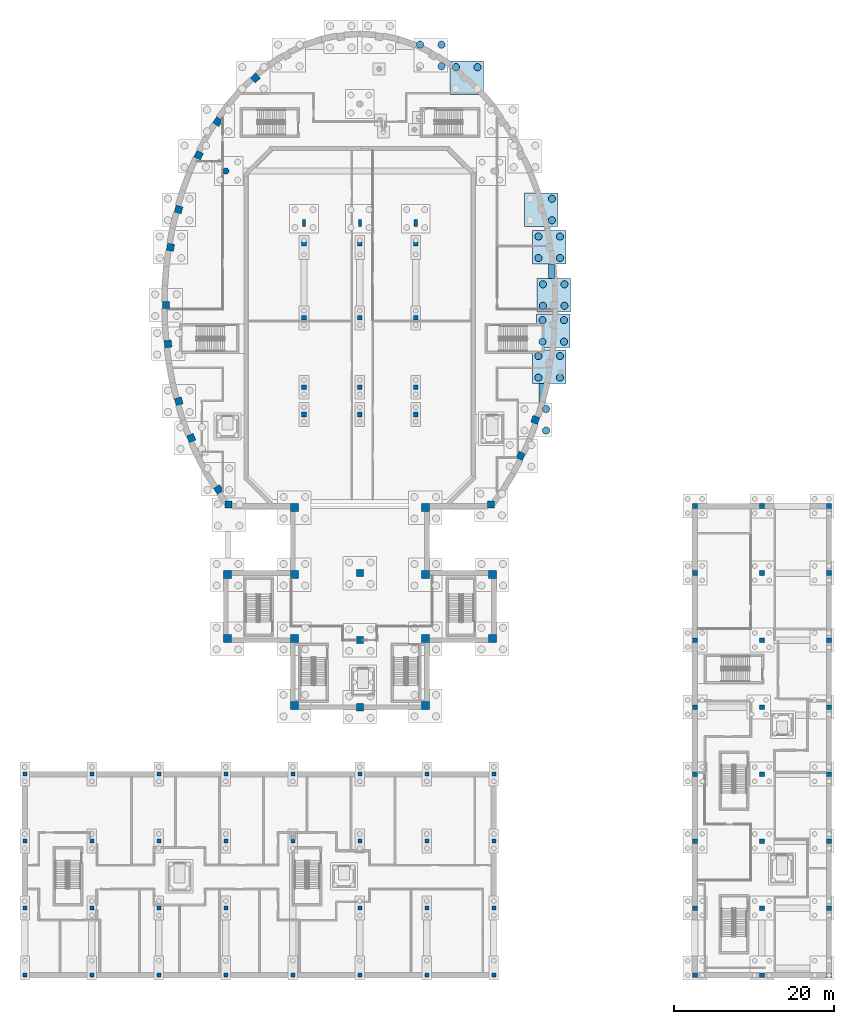
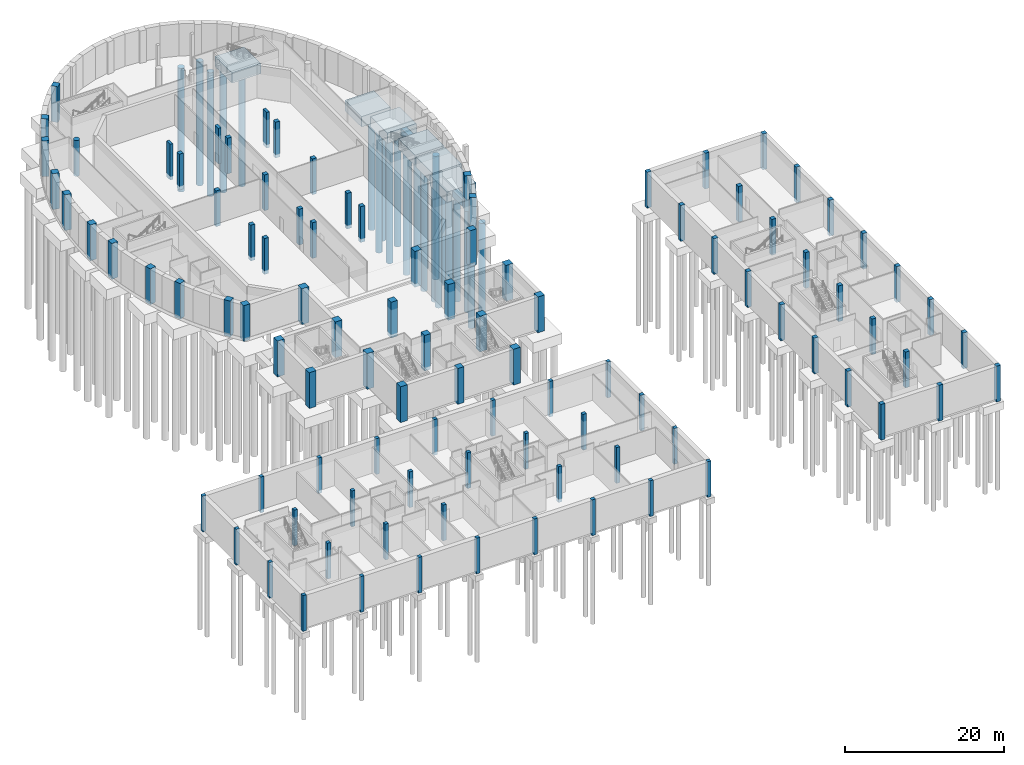
# One storey, part 6 of 33: 100 columns, 25 piles, 8 footings.
"""IFC4 building model written with IfcOpenShell, lengths in metres."""

from ifc_helpers import new_model, si_unit, direction, frame, origin, origin_2d, place, context, subcontext, project, spatial, polyline, rectangle, circle, outline, extrude, material, material_profile, profile_set, type_object, element, save


model = new_model("IFC4")

# Units and contexts
model_context = context("Model", 3, precision=1e-05, world=origin(), true_north=direction((0.0, 1.0)))
body_context = subcontext(model_context, "Body", "Model", "MODEL_VIEW")
ifc_project = project(units=[si_unit("LENGTHUNIT", "METRE"), si_unit("AREAUNIT", "SQUARE_METRE"), si_unit("VOLUMEUNIT", "CUBIC_METRE"), si_unit("PLANEANGLEUNIT", "RADIAN"), si_unit("MASSUNIT", "GRAM", prefix="KILO")], contexts=[model_context])

# Site, building, storey
site_placement = place(None, origin())
site = spatial("IfcSite", under=ifc_project, at=site_placement, CompositionType="ELEMENT")
building_placement = place(site_placement, origin())
building = spatial("IfcBuilding", under=site, at=building_placement, Name="Larchfold Concert Hall", CompositionType="ELEMENT")
storey_placement = place(building_placement, frame((0.0, 0.0, -5.0)))
storey = spatial("IfcBuildingStorey", under=building, at=storey_placement, Name="B1", CompositionType="ELEMENT", Elevation=-5.0)

# Piles
ifc_material_1 = material(Name="Concrete C30/37", Category="concrete")
ifc_material_profile_1 = material_profile(ifc_material_1, circle(Radius=0.449951171875, at=origin_2d()))
ifc_profile_set_1 = profile_set([ifc_material_profile_1], Name="Concrete C30/37")
pile_type = type_object("IfcPileType", Name="Bored pile D900", PredefinedType="BORED", material=ifc_profile_set_1)
for number, where, z_axis, x_axis, name in (
    (1, (50.1416015625, 117.23876953125, -2.0), (0.0, 0.0, -1.0), (1.0, 0.0, 0.0), "Pile P0208"),
    (2, (52.841552734375, 114.538818359375, -2.0), (0.0, 0.0, -1.0), (1.0, 0.0, 0.0), "Pile P0209"),
    (3, (52.841552734375, 117.23876953125, -2.0), (0.0, 0.0, -1.0), (1.0, 0.0, 0.0), "Pile P0210"),
    (4, (54.6416015625, 114.419677734375, -2.0), (0.0, 0.0, -1.0), (1.0, 0.0, 0.0), "Pile P0212"),
    (5, (57.341552734375, 114.419677734375, -2.0), (0.0, 0.0, -1.0), (1.0, 0.0, 0.0), "Pile P0214"),
):
    element("IfcPile", number, at=place(storey_placement, frame(where, z_axis=z_axis, x_axis=x_axis)), inside=storey, type_object=pile_type, Name=name, PredefinedType="BORED", context=body_context, shape_type="SweptSolid", body=[
        extrude(circle(Radius=0.449951171875, at=origin_2d()), origin(), (0.0, 0.0, 1.0), 19.0),
    ])
for number, where, z_axis, x_axis, name in (
    (6, (65.939208984375, 68.8681640625, -2.0), (0.0, 0.0, -1.0), (1.0, 0.0, 0.0), "Pile P0253"),
    (7, (65.939208984375, 71.568115234375, -2.0), (0.0, 0.0, -1.0), (1.0, 0.0, 0.0), "Pile P0254"),
):
    element("IfcPile", number, at=place(storey_placement, frame(where, z_axis=z_axis, x_axis=x_axis)), inside=storey, type_object=pile_type, Name=name, PredefinedType="BORED", context=body_context, shape_type="SweptSolid", body=[
        extrude(circle(Radius=0.449951171875, at=origin_2d()), origin(), (0.0, 0.0, 1.0), 17.81005859375),
    ])
for number, where, z_axis, x_axis, name in (
    (8, (66.671875, 95.228759765625, -2.0), (0.0, 0.0, -1.0), (1.0, 0.0, 0.0), "Pile P0257"),
    (9, (66.671875, 97.9287109375, -2.0), (0.0, 0.0, -1.0), (1.0, 0.0, 0.0), "Pile P0258"),
):
    element("IfcPile", number, at=place(storey_placement, frame(where, z_axis=z_axis, x_axis=x_axis)), inside=storey, type_object=pile_type, Name=name, PredefinedType="BORED", context=body_context, shape_type="SweptSolid", body=[
        extrude(circle(Radius=0.449951171875, at=origin_2d()), origin(), (0.0, 0.0, 1.0), 19.0),
    ])
for number, where, z_axis, x_axis, name in (
    (10, (64.978271484375, 75.508544921875, -2.0), (0.0, 0.0, -1.0), (1.0, 0.0, 0.0), "Pile P0259"),
    (11, (64.978271484375, 78.208740234375, -2.0), (0.0, 0.0, -1.0), (1.0, 0.0, 0.0), "Pile P0260"),
    (12, (67.678466796875, 75.508544921875, -2.0), (0.0, 0.0, -1.0), (1.0, 0.0, 0.0), "Pile P0261"),
    (13, (67.678466796875, 78.208740234375, -2.0), (0.0, 0.0, -1.0), (1.0, 0.0, 0.0), "Pile P0262"),
):
    element("IfcPile", number, at=place(storey_placement, frame(where, z_axis=z_axis, x_axis=x_axis)), inside=storey, type_object=pile_type, Name=name, PredefinedType="BORED", context=body_context, shape_type="SweptSolid", body=[
        extrude(circle(Radius=0.449951171875, at=origin_2d()), origin(), (0.0, 0.0, 1.0), 18.359375),
    ])
for number, where, z_axis, x_axis, name in (
    (14, (64.9853515625, 90.491943359375, -2.0), (0.0, 0.0, -1.0), (1.0, 0.0, 0.0), "Pile P0263"),
    (15, (64.9853515625, 93.19189453125, -2.0), (0.0, 0.0, -1.0), (1.0, 0.0, 0.0), "Pile P0264"),
    (16, (67.685302734375, 90.491943359375, -2.0), (0.0, 0.0, -1.0), (1.0, 0.0, 0.0), "Pile P0265"),
    (17, (67.685302734375, 93.19189453125, -2.0), (0.0, 0.0, -1.0), (1.0, 0.0, 0.0), "Pile P0266"),
):
    element("IfcPile", number, at=place(storey_placement, frame(where, z_axis=z_axis, x_axis=x_axis)), inside=storey, type_object=pile_type, Name=name, PredefinedType="BORED", context=body_context, shape_type="SweptSolid", body=[
        extrude(circle(Radius=0.449951171875, at=origin_2d()), origin(), (0.0, 0.0, 1.0), 19.0),
    ])
for number, where, z_axis, x_axis, name in (
    (18, (65.48681640625, 80.008544921875, -2.0), (0.0, 0.0, -1.0), (1.0, 0.0, 0.0), "Pile P0267"),
    (19, (65.48681640625, 82.708740234375, -2.0), (0.0, 0.0, -1.0), (1.0, 0.0, 0.0), "Pile P0268"),
    (20, (68.18701171875, 80.008544921875, -2.0), (0.0, 0.0, -1.0), (1.0, 0.0, 0.0), "Pile P0269"),
    (21, (68.18701171875, 82.708740234375, -2.0), (0.0, 0.0, -1.0), (1.0, 0.0, 0.0), "Pile P0270"),
):
    element("IfcPile", number, at=place(storey_placement, frame(where, z_axis=z_axis, x_axis=x_axis)), inside=storey, type_object=pile_type, Name=name, PredefinedType="BORED", context=body_context, shape_type="SweptSolid", body=[
        extrude(circle(Radius=0.449951171875, at=origin_2d()), origin(), (0.0, 0.0, 1.0), 18.731689453125),
    ])
for number, where, z_axis, x_axis, name in (
    (22, (65.550048828125, 84.508544921875, -2.0), (0.0, 0.0, -1.0), (1.0, 0.0, 0.0), "Pile P0271"),
    (23, (65.550048828125, 87.208740234375, -2.0), (0.0, 0.0, -1.0), (1.0, 0.0, 0.0), "Pile P0272"),
    (24, (68.25, 84.508544921875, -2.0), (0.0, 0.0, -1.0), (1.0, 0.0, 0.0), "Pile P0273"),
    (25, (68.25, 87.208740234375, -2.0), (0.0, 0.0, -1.0), (1.0, 0.0, 0.0), "Pile P0274"),
):
    element("IfcPile", number, at=place(storey_placement, frame(where, z_axis=z_axis, x_axis=x_axis)), inside=storey, type_object=pile_type, Name=name, PredefinedType="BORED", context=body_context, shape_type="SweptSolid", body=[
        extrude(circle(Radius=0.449951171875, at=origin_2d()), origin(), (0.0, 0.0, 1.0), 19.0),
    ])

# Footings
ifc_material_2 = material(Name="Concrete C30/37", Category="concrete")
footing_type_1 = type_object("IfcFootingType", Name="Pile cap 4200x4200x1600", PredefinedType="PILE_CAP", material=ifc_material_2)
footing_1_placement = place(storey_placement, frame((0.0, 0.0, -2.10009765625)))
element("IfcFooting", 26, at=footing_1_placement, inside=storey, type_object=footing_type_1, Name="Pile cap PC0073", PredefinedType="PILE_CAP", context=body_context, shape_type="SweptSolid", body=[
    extrude(outline(polyline([(58.091552734375, 110.969482421875), (58.091552734375, 115.169677734375), (53.8916015625, 115.169677734375), (53.8916015625, 110.969482421875), (58.091552734375, 110.969482421875)])), origin(), (0.0, 0.0, 1.0), 1.60009765625),
])
footing_2_placement = place(storey_placement, frame((0.0, 0.0, -2.10009765625)))
element("IfcFooting", 27, at=footing_2_placement, inside=storey, type_object=footing_type_1, Name="Pile cap PC0086", PredefinedType="PILE_CAP", context=body_context, shape_type="SweptSolid", body=[
    extrude(outline(polyline([(67.421875, 94.478759765625), (67.421875, 98.6787109375), (63.221923828125, 98.6787109375), (63.221923828125, 94.478759765625), (67.421875, 94.478759765625)])), origin(), (0.0, 0.0, 1.0), 1.60009765625),
])
footing_3_placement = place(storey_placement, frame((0.0, 0.0, -2.10009765625)))
element("IfcFooting", 28, at=footing_3_placement, inside=storey, type_object=footing_type_1, Name="Pile cap PC0087", PredefinedType="PILE_CAP", context=body_context, shape_type="SweptSolid", body=[
    extrude(outline(polyline([(68.428466796875, 74.758544921875), (68.428466796875, 78.958740234375), (64.228271484375, 78.958740234375), (64.228271484375, 74.758544921875), (68.428466796875, 74.758544921875)])), origin(), (0.0, 0.0, 1.0), 1.60009765625),
])
footing_4_placement = place(storey_placement, frame((0.0, 0.0, -2.10009765625)))
element("IfcFooting", 29, at=footing_4_placement, inside=storey, type_object=footing_type_1, Name="Pile cap PC0088", PredefinedType="PILE_CAP", context=body_context, shape_type="SweptSolid", body=[
    extrude(outline(polyline([(68.435302734375, 89.741943359375), (68.435302734375, 93.94189453125), (64.2353515625, 93.94189453125), (64.2353515625, 89.741943359375), (68.435302734375, 89.741943359375)])), origin(), (0.0, 0.0, 1.0), 1.60009765625),
])
footing_5_placement = place(storey_placement, frame((0.0, 0.0, -2.10009765625)))
element("IfcFooting", 30, at=footing_5_placement, inside=storey, type_object=footing_type_1, Name="Pile cap PC0089", PredefinedType="PILE_CAP", context=body_context, shape_type="SweptSolid", body=[
    extrude(outline(polyline([(68.93701171875, 79.258544921875), (68.93701171875, 83.458740234375), (64.73681640625, 83.458740234375), (64.73681640625, 79.258544921875), (68.93701171875, 79.258544921875)])), origin(), (0.0, 0.0, 1.0), 1.60009765625),
])
footing_6_placement = place(storey_placement, frame((0.0, 0.0, -2.10009765625)))
element("IfcFooting", 31, at=footing_6_placement, inside=storey, type_object=footing_type_1, Name="Pile cap PC0090", PredefinedType="PILE_CAP", context=body_context, shape_type="SweptSolid", body=[
    extrude(outline(polyline([(69.0, 83.758544921875), (69.0, 87.958740234375), (64.800048828125, 87.958740234375), (64.800048828125, 83.758544921875), (69.0, 83.758544921875)])), origin(), (0.0, 0.0, 1.0), 1.60009765625),
])
ifc_material_3 = material(Name="Concrete C30/37", Category="concrete")
footing_type_2 = type_object("IfcFootingType", Name="Strip footing 800x1000", PredefinedType="STRIP_FOOTING", material=ifc_material_3)
footing_7_placement = place(storey_placement, frame((0.0, 0.0, -1.5)))
element("IfcFooting", 32, at=footing_7_placement, inside=storey, type_object=footing_type_2, Name="Ground beam GB0016", PredefinedType="STRIP_FOOTING", context=body_context, shape_type="SweptSolid", body=[
    extrude(outline(polyline([(65.058837890625, 72.318115234375), (65.858642578125, 72.318115234375), (65.858642578125, 74.758544921875), (65.058837890625, 74.758544921875), (65.058837890625, 72.318115234375)])), origin(), (0.0, 0.0, 1.0), 1.0),
])
footing_8_placement = place(storey_placement, frame((0.0, 0.0, -1.5)))
element("IfcFooting", 33, at=footing_8_placement, inside=storey, type_object=footing_type_2, Name="Ground beam GB0017", PredefinedType="STRIP_FOOTING", context=body_context, shape_type="SweptSolid", body=[
    extrude(outline(polyline([(66.2177734375, 87.958740234375), (67.017822265625, 87.958740234375), (67.017822265625, 89.741943359375), (66.2177734375, 89.741943359375), (66.2177734375, 87.958740234375)])), origin(), (0.0, 0.0, 1.0), 1.0),
])

# Columns
ifc_material_4 = material(Name="Concrete C35/45", Category="concrete")
ifc_material_profile_2 = material_profile(ifc_material_4, rectangle(XDim=1.0, YDim=1.0, at=origin_2d()))
ifc_profile_set_2 = profile_set([ifc_material_profile_2], Name="Concrete C35/45")
column_type_1 = type_object("IfcColumnType", Name="Column RC 1000x1000", PredefinedType="COLUMN", material=ifc_profile_set_2)
for number, where, z_axis, x_axis, name in (
    (34, (26.0, 42.800048828125, -0.5), (0.0, 0.0, 1.0), (1.0, 0.0, 0.0), "Column C0056"),
    (35, (26.0, 50.800048828125, -0.5), (0.0, 0.0, 1.0), (1.0, 0.0, 0.0), "Column C0057"),
    (36, (34.39990234375, 34.39990234375, -0.5), (0.0, 0.0, 1.0), (1.0, 0.0, 0.0), "Column C0058"),
    (37, (34.39990234375, 42.800048828125, -0.5), (0.0, 0.0, 1.0), (1.0, 0.0, 0.0), "Column C0059"),
    (38, (34.39990234375, 50.800048828125, -0.5), (0.0, 0.0, 1.0), (1.0, 0.0, 0.0), "Column C0060"),
    (39, (34.39990234375, 59.199951171875, -0.5), (0.0, 0.0, 1.0), (1.0, 0.0, 0.0), "Column C0061"),
    (40, (50.800048828125, 34.39990234375, -0.5), (0.0, 0.0, 1.0), (1.0, 0.0, 0.0), "Column C0065"),
    (41, (50.800048828125, 42.800048828125, -0.5), (0.0, 0.0, 1.0), (1.0, 0.0, 0.0), "Column C0066"),
    (42, (50.800048828125, 50.800048828125, -0.5), (0.0, 0.0, 1.0), (1.0, 0.0, 0.0), "Column C0067"),
    (43, (50.800048828125, 59.199951171875, -0.5), (0.0, 0.0, 1.0), (1.0, 0.0, 0.0), "Column C0068"),
    (44, (59.199951171875, 42.800048828125, -0.5), (0.0, 0.0, 1.0), (1.0, 0.0, 0.0), "Column C0069"),
    (45, (59.199951171875, 50.800048828125, -0.5), (0.0, 0.0, 1.0), (1.0, 0.0, 0.0), "Column C0070"),
):
    element("IfcColumn", number, at=place(storey_placement, frame(where, z_axis=z_axis, x_axis=x_axis)), inside=storey, type_object=column_type_1, Name=name, PredefinedType="COLUMN", context=body_context, shape_type="SweptSolid", body=[
        extrude(rectangle(XDim=1.0, YDim=1.0, at=origin_2d()), origin(), (0.0, 0.0, 1.0), 5.5),
    ])
ifc_material_5 = material(Name="Concrete C35/45", Category="concrete")
ifc_material_profile_3 = material_profile(ifc_material_5, rectangle(XDim=0.39990234375, YDim=0.89990234375, at=origin_2d()))
ifc_profile_set_3 = profile_set([ifc_material_profile_3], Name="Concrete C35/45")
column_type_2 = type_object("IfcColumnType", Name="Column RC 400x900", PredefinedType="COLUMN", material=ifc_profile_set_3)
for number, where, z_axis, x_axis, name in (
    (46, (35.60009765625, 94.89990234375, -0.5), (0.0, 0.0, 1.0), (1.0, 0.0, 0.0), "Column C0083"),
    (47, (42.60009765625, 94.89990234375, -0.5), (0.0, 0.0, 1.0), (1.0, 0.0, 0.0), "Column C0084"),
    (48, (49.60009765625, 94.89990234375, -0.5), (0.0, 0.0, 1.0), (1.0, 0.0, 0.0), "Column C0085"),
):
    element("IfcColumn", number, at=place(storey_placement, frame(where, z_axis=z_axis, x_axis=x_axis)), inside=storey, type_object=column_type_2, Name=name, PredefinedType="COLUMN", context=body_context, shape_type="SweptSolid", body=[
        extrude(rectangle(XDim=0.39990234375, YDim=0.89990234375, at=origin_2d()), origin(), (0.0, 0.0, 1.0), 5.5),
    ])
ifc_material_6 = material(Name="Concrete C35/45", Category="concrete")
ifc_material_profile_4 = material_profile(ifc_material_6, rectangle(XDim=0.5, YDim=0.5, at=origin_2d()))
ifc_profile_set_4 = profile_set([ifc_material_profile_4], Name="Concrete C35/45")
column_type_3 = type_object("IfcColumnType", Name="Column RC 500x500", PredefinedType="COLUMN", material=ifc_profile_set_4)
for number, where, z_axis, x_axis, name in (
    (49, (0.60009765625, 0.60009765625, -0.5), (0.0, 0.0, 1.0), (1.0, 0.0, 0.0), "Column C0001"),
    (50, (0.60009765625, 9.0, -0.5), (0.0, 0.0, 1.0), (1.0, 0.0, 0.0), "Column C0002"),
    (51, (0.60009765625, 17.39990234375, -0.5), (0.0, 0.0, 1.0), (1.0, 0.0, 0.0), "Column C0003"),
    (52, (0.60009765625, 25.800048828125, -0.5), (0.0, 0.0, 1.0), (1.0, 0.0, 0.0), "Column C0004"),
    (53, (9.0, 0.60009765625, -0.5), (0.0, 0.0, 1.0), (1.0, 0.0, 0.0), "Column C0005"),
    (54, (9.0, 9.0, -0.5), (0.0, 0.0, 1.0), (1.0, 0.0, 0.0), "Column C0006"),
    (55, (9.0, 17.39990234375, -0.5), (0.0, 0.0, 1.0), (1.0, 0.0, 0.0), "Column C0007"),
    (56, (9.0, 25.800048828125, -0.5), (0.0, 0.0, 1.0), (1.0, 0.0, 0.0), "Column C0008"),
    (57, (17.39990234375, 0.60009765625, -0.5), (0.0, 0.0, 1.0), (1.0, 0.0, 0.0), "Column C0009"),
    (58, (17.39990234375, 9.0, -0.5), (0.0, 0.0, 1.0), (1.0, 0.0, 0.0), "Column C0010"),
    (59, (17.39990234375, 17.39990234375, -0.5), (0.0, 0.0, 1.0), (1.0, 0.0, 0.0), "Column C0011"),
    (60, (17.39990234375, 25.800048828125, -0.5), (0.0, 0.0, 1.0), (1.0, 0.0, 0.0), "Column C0012"),
    (61, (25.800048828125, 0.60009765625, -0.5), (0.0, 0.0, 1.0), (1.0, 0.0, 0.0), "Column C0013"),
    (62, (25.800048828125, 9.0, -0.5), (0.0, 0.0, 1.0), (1.0, 0.0, 0.0), "Column C0014"),
    (63, (25.800048828125, 17.39990234375, -0.5), (0.0, 0.0, 1.0), (1.0, 0.0, 0.0), "Column C0015"),
    (64, (25.800048828125, 25.800048828125, -0.5), (0.0, 0.0, 1.0), (1.0, 0.0, 0.0), "Column C0016"),
    (65, (34.199951171875, 0.60009765625, -0.5), (0.0, 0.0, 1.0), (1.0, 0.0, 0.0), "Column C0017"),
    (66, (34.199951171875, 17.39990234375, -0.5), (0.0, 0.0, 1.0), (1.0, 0.0, 0.0), "Column C0018"),
    (67, (34.199951171875, 25.800048828125, -0.5), (0.0, 0.0, 1.0), (1.0, 0.0, 0.0), "Column C0019"),
    (68, (42.60009765625, 0.60009765625, -0.5), (0.0, 0.0, 1.0), (1.0, 0.0, 0.0), "Column C0020"),
    (69, (42.60009765625, 9.0, -0.5), (0.0, 0.0, 1.0), (1.0, 0.0, 0.0), "Column C0021"),
    (70, (42.60009765625, 17.39990234375, -0.5), (0.0, 0.0, 1.0), (1.0, 0.0, 0.0), "Column C0022"),
    (71, (42.60009765625, 25.800048828125, -0.5), (0.0, 0.0, 1.0), (1.0, 0.0, 0.0), "Column C0023"),
    (72, (51.0, 0.60009765625, -0.5), (0.0, 0.0, 1.0), (1.0, 0.0, 0.0), "Column C0024"),
    (73, (51.0, 9.0, -0.5), (0.0, 0.0, 1.0), (1.0, 0.0, 0.0), "Column C0025"),
    (74, (51.0, 17.39990234375, -0.5), (0.0, 0.0, 1.0), (1.0, 0.0, 0.0), "Column C0026"),
    (75, (51.0, 25.800048828125, -0.5), (0.0, 0.0, 1.0), (1.0, 0.0, 0.0), "Column C0027"),
    (76, (59.39990234375, 0.60009765625, -0.5), (0.0, 0.0, 1.0), (1.0, 0.0, 0.0), "Column C0028"),
    (77, (59.39990234375, 9.0, -0.5), (0.0, 0.0, 1.0), (1.0, 0.0, 0.0), "Column C0029"),
    (78, (59.39990234375, 17.39990234375, -0.5), (0.0, 0.0, 1.0), (1.0, 0.0, 0.0), "Column C0030"),
    (79, (59.39990234375, 25.800048828125, -0.5), (0.0, 0.0, 1.0), (1.0, 0.0, 0.0), "Column C0031"),
):
    element("IfcColumn", number, at=place(storey_placement, frame(where, z_axis=z_axis, x_axis=x_axis)), inside=storey, type_object=column_type_3, Name=name, PredefinedType="COLUMN", context=body_context, shape_type="SweptSolid", body=[
        extrude(rectangle(XDim=0.5, YDim=0.5, at=origin_2d()), origin(), (0.0, 0.0, 1.0), 5.5),
    ])
ifc_material_7 = material(Name="Concrete C35/45", Category="concrete")
ifc_material_profile_5 = material_profile(ifc_material_7, rectangle(XDim=0.60009765625, YDim=0.60009765625, at=origin_2d()))
ifc_profile_set_5 = profile_set([ifc_material_profile_5], Name="Concrete C35/45")
column_type_4 = type_object("IfcColumnType", Name="Column RC 600x600", PredefinedType="COLUMN", material=ifc_profile_set_5)
for number, where, z_axis, x_axis, name in (
    (80, (84.60009765625, 0.60009765625, -0.5), (0.0, 0.0, 1.0), (1.0, 0.0, 0.0), "Column C0032"),
    (81, (84.60009765625, 9.0, -0.5), (0.0, 0.0, 1.0), (1.0, 0.0, 0.0), "Column C0033"),
    (82, (84.60009765625, 17.39990234375, -0.5), (0.0, 0.0, 1.0), (1.0, 0.0, 0.0), "Column C0034"),
    (83, (84.60009765625, 25.800048828125, -0.5), (0.0, 0.0, 1.0), (1.0, 0.0, 0.0), "Column C0035"),
    (84, (84.60009765625, 34.199951171875, -0.5), (0.0, 0.0, 1.0), (1.0, 0.0, 0.0), "Column C0036"),
    (85, (84.60009765625, 42.60009765625, -0.5), (0.0, 0.0, 1.0), (1.0, 0.0, 0.0), "Column C0037"),
    (86, (84.60009765625, 51.0, -0.5), (0.0, 0.0, 1.0), (1.0, 0.0, 0.0), "Column C0038"),
    (87, (84.60009765625, 59.39990234375, -0.5), (0.0, 0.0, 1.0), (1.0, 0.0, 0.0), "Column C0039"),
    (88, (93.0, 0.60009765625, -0.5), (0.0, 0.0, 1.0), (1.0, 0.0, 0.0), "Column C0040"),
    (89, (93.0, 9.0, -0.5), (0.0, 0.0, 1.0), (1.0, 0.0, 0.0), "Column C0041"),
    (90, (93.0, 17.39990234375, -0.5), (0.0, 0.0, 1.0), (1.0, 0.0, 0.0), "Column C0042"),
    (91, (93.0, 25.800048828125, -0.5), (0.0, 0.0, 1.0), (1.0, 0.0, 0.0), "Column C0043"),
    (92, (93.0, 34.199951171875, -0.5), (0.0, 0.0, 1.0), (1.0, 0.0, 0.0), "Column C0044"),
    (93, (93.0, 42.60009765625, -0.5), (0.0, 0.0, 1.0), (1.0, 0.0, 0.0), "Column C0045"),
    (94, (93.0, 51.0, -0.5), (0.0, 0.0, 1.0), (1.0, 0.0, 0.0), "Column C0046"),
    (95, (93.0, 59.39990234375, -0.5), (0.0, 0.0, 1.0), (1.0, 0.0, 0.0), "Column C0047"),
    (96, (101.39990234375, 0.60009765625, -0.5), (0.0, 0.0, 1.0), (1.0, 0.0, 0.0), "Column C0048"),
    (97, (101.39990234375, 9.0, -0.5), (0.0, 0.0, 1.0), (1.0, 0.0, 0.0), "Column C0049"),
    (98, (101.39990234375, 17.39990234375, -0.5), (0.0, 0.0, 1.0), (1.0, 0.0, 0.0), "Column C0050"),
    (99, (101.39990234375, 25.800048828125, -0.5), (0.0, 0.0, 1.0), (1.0, 0.0, 0.0), "Column C0051"),
    (100, (101.39990234375, 34.199951171875, -0.5), (0.0, 0.0, 1.0), (1.0, 0.0, 0.0), "Column C0052"),
    (101, (101.39990234375, 42.60009765625, -0.5), (0.0, 0.0, 1.0), (1.0, 0.0, 0.0), "Column C0053"),
    (102, (101.39990234375, 51.0, -0.5), (0.0, 0.0, 1.0), (1.0, 0.0, 0.0), "Column C0054"),
    (103, (101.39990234375, 59.39990234375, -0.5), (0.0, 0.0, 1.0), (1.0, 0.0, 0.0), "Column C0055"),
    (104, (35.60009765625, 74.300048828125, -0.5), (0.0, 0.0, 1.0), (1.0, 0.0, 0.0), "Column C0071"),
    (105, (42.60009765625, 74.300048828125, -0.5), (0.0, 0.0, 1.0), (1.0, 0.0, 0.0), "Column C0072"),
    (106, (49.60009765625, 74.300048828125, -0.5), (0.0, 0.0, 1.0), (1.0, 0.0, 0.0), "Column C0073"),
    (107, (35.60009765625, 83.0, -0.5), (0.0, 0.0, 1.0), (1.0, 0.0, 0.0), "Column C0074"),
    (108, (42.60009765625, 83.0, -0.5), (0.0, 0.0, 1.0), (1.0, 0.0, 0.0), "Column C0075"),
    (109, (49.60009765625, 83.0, -0.5), (0.0, 0.0, 1.0), (1.0, 0.0, 0.0), "Column C0076"),
    (110, (35.60009765625, 92.300048828125, -0.5), (0.0, 0.0, 1.0), (1.0, 0.0, 0.0), "Column C0077"),
    (111, (42.60009765625, 92.300048828125, -0.5), (0.0, 0.0, 1.0), (1.0, 0.0, 0.0), "Column C0078"),
    (112, (49.60009765625, 92.300048828125, -0.5), (0.0, 0.0, 1.0), (1.0, 0.0, 0.0), "Column C0079"),
    (113, (35.60009765625, 70.89990234375, -0.5), (0.0, 0.0, 1.0), (1.0, 0.0, 0.0), "Column C0080"),
    (114, (42.60009765625, 70.89990234375, -0.5), (0.0, 0.0, 1.0), (1.0, 0.0, 0.0), "Column C0081"),
    (115, (49.60009765625, 70.89990234375, -0.5), (0.0, 0.0, 1.0), (1.0, 0.0, 0.0), "Column C0082"),
):
    element("IfcColumn", number, at=place(storey_placement, frame(where, z_axis=z_axis, x_axis=x_axis)), inside=storey, type_object=column_type_4, Name=name, PredefinedType="COLUMN", context=body_context, shape_type="SweptSolid", body=[
        extrude(rectangle(XDim=0.60009765625, YDim=0.60009765625, at=origin_2d()), origin(), (0.0, 0.0, 1.0), 5.5),
    ])
ifc_material_8 = material(Name="Concrete C35/45", Category="concrete")
ifc_material_profile_6 = material_profile(ifc_material_8, rectangle(XDim=0.89990234375, YDim=0.89990234375, at=origin_2d()))
ifc_profile_set_6 = profile_set([ifc_material_profile_6], Name="Concrete C35/45")
column_type_5 = type_object("IfcColumnType", Name="Column RC 900x900", PredefinedType="COLUMN", material=ifc_profile_set_6)
for number, where, z_axis, x_axis, name in (
    (116, (42.60009765625, 34.199951171875, -0.5), (0.0, 0.0, 1.0), (1.0, 0.0, 0.0), "Column C0062"),
    (117, (42.60009765625, 42.60009765625, -0.5), (0.0, 0.0, 1.0), (1.0, 0.0, 0.0), "Column C0063"),
    (118, (42.60009765625, 51.0, -0.5), (0.0, 0.0, 1.0), (1.0, 0.0, 0.0), "Column C0064"),
    (119, (29.505615234375, 113.069580078125, -0.5), (0.0, 0.0, 1.0), (0.746953596831, 0.664876172066, 0.0), "Column C9011"),
    (120, (24.788330078125, 107.587646484375, -0.5), (0.0, 0.0, 1.0), (0.554977881431, 0.831865103922, 0.0), "Column C9012"),
    (121, (22.399658203125, 103.382568359375, -0.5), (0.0, 0.0, 1.0), (0.433275657946, 0.901261451651, 0.0), "Column C9013"),
    (122, (19.878173828125, 96.578857421875, -0.5), (0.0, 0.0, 1.0), (0.263030529779, 0.964787510493, 0.0), "Column C9014"),
    (123, (18.86474609375, 91.841796875, -0.5), (0.0, 0.0, 1.0), (0.155868072999, 0.987777881823, 0.0), "Column C9015"),
    (124, (18.300048828125, 84.60009765625, -0.5), (0.0, 0.0, 1.0), (2.069716e-06, 0.999999999998, 0.0), "Column C9016"),
    (125, (18.5537109375, 79.73095703125, -0.5), (0.0, 0.0, 1.0), (0.994561340283, 0.104152486359, 0.0), "Column C9017"),
    (126, (19.898193359375, 72.548828125, -0.5), (0.0, 0.0, 1.0), (0.964323619166, 0.264726193489, 0.0), "Column C9018"),
    (127, (21.461181640625, 67.934326171875, -0.5), (0.0, 0.0, 1.0), (0.926013821217, 0.377489606368, 0.0), "Column C9019"),
    (128, (24.872314453125, 61.4873046875, -0.5), (0.0, 0.0, 1.0), (0.829252824487, 0.558873646794, 0.0), "Column C9020"),
    (129, (26.153076171875, 59.599853515625, -0.5), (0.0, 0.0, 1.0), (1.0, 0.0, 0.0), "Column C9021"),
    (130, (59.047119140625, 59.599853515625, -0.5), (0.0, 0.0, 1.0), (1.0, 0.0, 0.0), "Column C9022"),
    (131, (62.748291015625, 65.708984375, -0.5), (0.0, 0.0, 1.0), (0.436211127096, 0.899844349095, 0.0), "Column C9023"),
    (132, (64.589111328125, 70.218017578125, -0.5), (0.0, 0.0, 1.0), (0.320382697349, 0.947288196506, 0.0), "Column C9024"),
):
    element("IfcColumn", number, at=place(storey_placement, frame(where, z_axis=z_axis, x_axis=x_axis)), inside=storey, type_object=column_type_5, Name=name, PredefinedType="COLUMN", context=body_context, shape_type="SweptSolid", body=[
        extrude(rectangle(XDim=0.89990234375, YDim=0.89990234375, at=origin_2d()), origin(), (0.0, 0.0, 1.0), 5.5),
    ])
ifc_material_9 = material(Name="Concrete C35/45", Category="concrete")
ifc_material_profile_7 = material_profile(ifc_material_9, circle(Radius=0.39990234375, at=origin_2d()))
ifc_profile_set_7 = profile_set([ifc_material_profile_7], Name="Concrete C35/45")
column_type_6 = type_object("IfcColumnType", Name="Column RC D800", PredefinedType="COLUMN", material=ifc_profile_set_7)
column_placement = place(storey_placement, frame((25.800048828125, 101.39990234375, -0.5), z_axis=(0.0, 0.0, 1.0), x_axis=(1.0, 0.0, 0.0)))
element("IfcColumn", 133, at=column_placement, inside=storey, type_object=column_type_6, Name="Column RC5814", PredefinedType="COLUMN", context=body_context, shape_type="SweptSolid", body=[
    extrude(circle(Radius=0.39990234375, at=origin_2d()), origin(), (0.0, 0.0, 1.0), 5.5),
])

save(model, "model.ifc")
